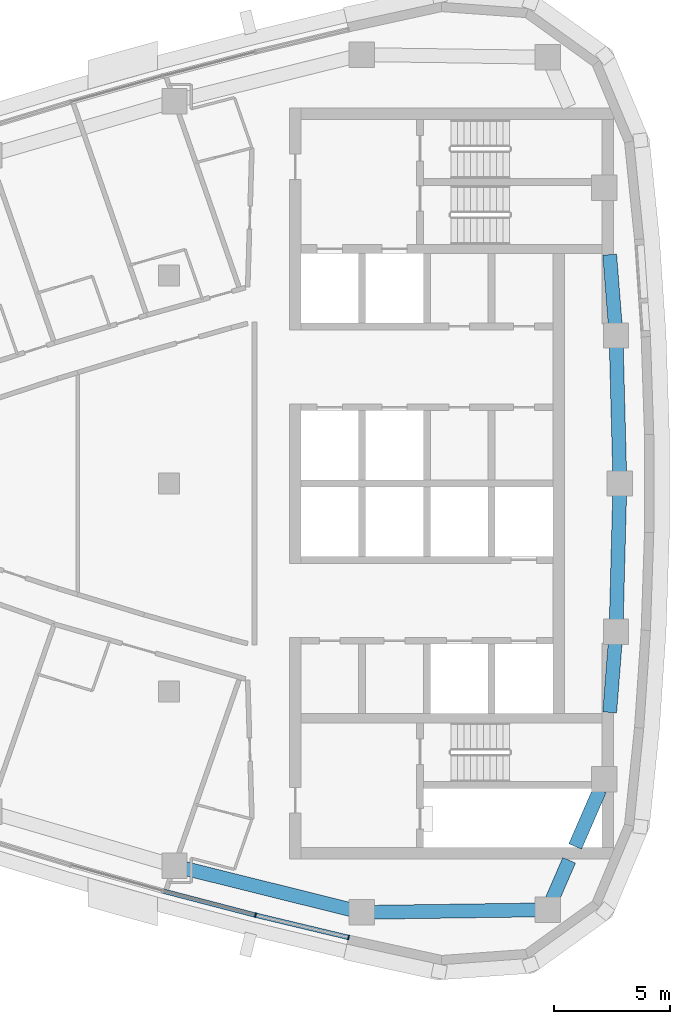
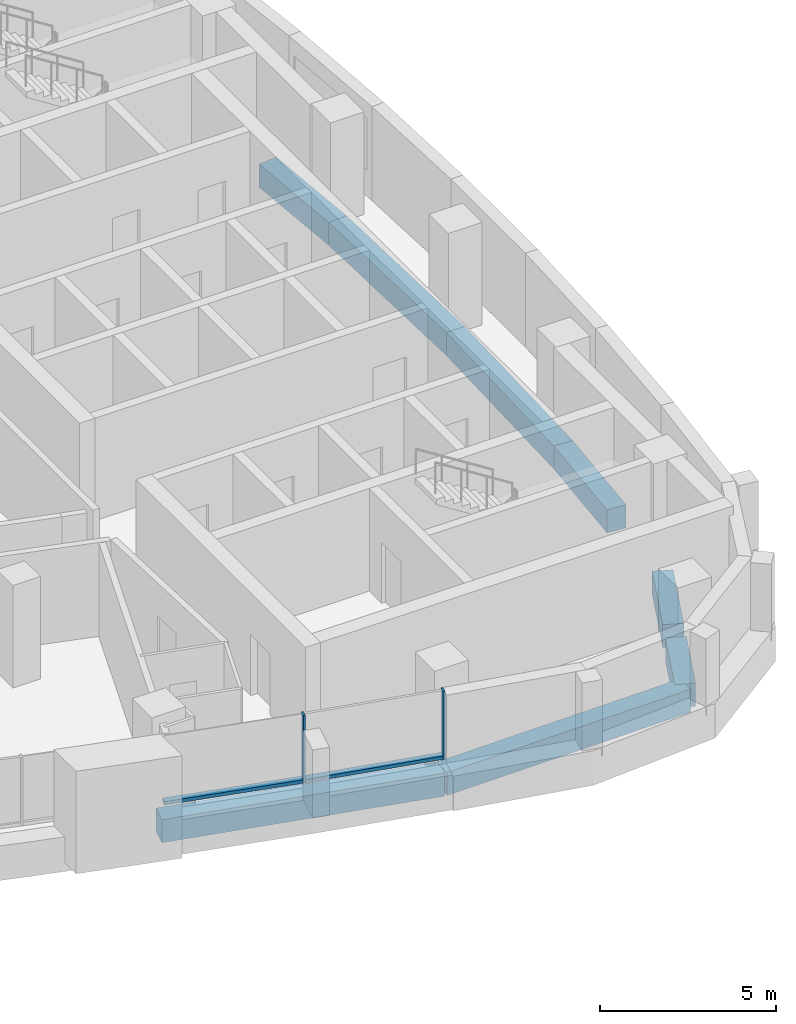
# One storey, part 4 of 14: 8 beams, 4 members, 1 element without a shape of its own.
"""IFC4 building model written with IfcOpenShell, lengths in metres."""

from ifc_helpers import new_model, si_unit, direction, frame, origin, origin_2d, place, context, subcontext, project, spatial, rectangle, extrude, material, layer, layer_set, material_profile, profile_set, type_object, element, aggregate, save


model = new_model("IFC4")

# Units and contexts
model_context = context("Model", 3, precision=1e-05, world=origin(), true_north=direction((0.0, 1.0)))
body_context = subcontext(model_context, "Body", "Model", "MODEL_VIEW")
ifc_project = project(units=[si_unit("LENGTHUNIT", "METRE"), si_unit("AREAUNIT", "SQUARE_METRE"), si_unit("VOLUMEUNIT", "CUBIC_METRE"), si_unit("PLANEANGLEUNIT", "RADIAN"), si_unit("MASSUNIT", "GRAM", prefix="KILO")], contexts=[model_context])

# Site, building, storey
site_placement = place(None, origin())
site = spatial("IfcSite", under=ifc_project, at=site_placement, CompositionType="ELEMENT")
building_placement = place(site_placement, origin())
building = spatial("IfcBuilding", under=site, at=building_placement, Name="Ostrand Prow Hotel Tower", CompositionType="ELEMENT")
storey_placement = place(building_placement, frame((0.0, 0.0, 289.199951171875)))
storey = spatial("IfcBuildingStorey", under=building, at=storey_placement, Name="L73", CompositionType="ELEMENT", Elevation=289.199951171875)

# Beams
ifc_material_1 = material(Name="Concrete C50/60", Category="concrete")
ifc_material_profile_1 = material_profile(ifc_material_1, rectangle(XDim=0.60009765625, YDim=0.800048828125, at=origin_2d()), Name="RC 600x800")
ifc_profile_set_1 = profile_set([ifc_material_profile_1], Name="Concrete C50/60")
beam_type = type_object("IfcBeamType", Name="Edge beam 600x800 C50/60", PredefinedType="SPANDREL", material=ifc_profile_set_1)
beam_1_placement = place(storey_placement, frame((45.234619140625, -16.53857421875, -0.699951171875), z_axis=(0.970456465292, -0.241276291775, 0.0), x_axis=(0.241276291775, 0.970456465292, 0.0)))
element("IfcBeam", 1, at=beam_1_placement, inside=storey, type_object=beam_type, Name="Edge beam S5-S6", PredefinedType="SPANDREL", context=body_context, shape_type="SweptSolid", body=[
    extrude(rectangle(XDim=0.60009765625, YDim=0.800048828125, at=origin_2d()), origin(), (0.0, 0.0, 1.0), 8.348876953125),
])
beam_2_placement = place(storey_placement, frame((53.3369140625, -18.552978515625, -0.699951171875), z_axis=(0.999900689486, 0.014092947356, 0.0), x_axis=(-0.014092947356, 0.999900689486, 0.0)))
element("IfcBeam", 2, at=beam_2_placement, inside=storey, type_object=beam_type, Name="Edge beam S6-SE", PredefinedType="SPANDREL", context=body_context, shape_type="SweptSolid", body=[
    extrude(rectangle(XDim=0.60009765625, YDim=0.800048828125, at=origin_2d()), origin(), (0.0, 0.0, 1.0), 8.0380859375),
])
beam_3_placement = place(storey_placement, frame((61.374267578125, -18.439697265625, -0.699951171875), z_axis=(0.398863844187, 0.91701016014, 0.0), x_axis=(-0.91701016014, 0.398863844187, 0.0)))
element("IfcBeam", 3, at=beam_3_placement, inside=storey, type_object=beam_type, Name="Edge beam SE-B1", PredefinedType="SPANDREL", context=body_context, shape_type="SweptSolid", body=[
    extrude(rectangle(XDim=0.60009765625, YDim=0.800048828125, at=origin_2d()), origin(), (0.0, 0.0, 1.0), 2.333251953125),
])
beam_4_placement = place(storey_placement, frame((62.56591796875, -15.699951171875, -0.699951171875), z_axis=(0.398799624102, 0.917038090712, 0.0), x_axis=(-0.917038090712, 0.398799624102, 0.0)))
element("IfcBeam", 4, at=beam_4_placement, inside=storey, type_object=beam_type, Name="Edge beam SE-B1", PredefinedType="SPANDREL", context=body_context, shape_type="SweptSolid", body=[
    extrude(rectangle(XDim=0.60009765625, YDim=0.800048828125, at=origin_2d()), origin(), (0.0, 0.0, 1.0), 2.671630859375),
])
beam_5_placement = place(storey_placement, frame((64.058349609375, -9.89990234375, -0.699951171875), z_axis=(0.078240080308, 0.996934546414, 0.0), x_axis=(-0.996934546414, 0.078240080308, 0.0)))
element("IfcBeam", 5, at=beam_5_placement, inside=storey, type_object=beam_type, Name="Edge beam B1-B2", PredefinedType="SPANDREL", context=body_context, shape_type="SweptSolid", body=[
    extrude(rectangle(XDim=0.60009765625, YDim=0.800048828125, at=origin_2d()), origin(), (0.0, 0.0, 1.0), 3.50732421875),
])
for number, where, z_axis, x_axis, name in (
    (6, (64.332763671875, -6.4033203125, -0.699951171875), (0.026108223987, 0.999659122221, 0.0), (-0.999659122221, 0.026108223987, 0.0), "Edge beam B2-B3"),
    (7, (64.5, 0.0, -0.699951171875), (-0.026108223987, 0.999659122221, 0.0), (-0.999659122221, -0.026108223987, 0.0), "Edge beam B3-B4"),
):
    element("IfcBeam", number, at=place(storey_placement, frame(where, z_axis=z_axis, x_axis=x_axis)), inside=storey, type_object=beam_type, Name=name, PredefinedType="SPANDREL", context=body_context, shape_type="SweptSolid", body=[
        extrude(rectangle(XDim=0.60009765625, YDim=0.800048828125, at=origin_2d()), origin(), (0.0, 0.0, 1.0), 6.405517578125),
    ])
beam_6_placement = place(storey_placement, frame((64.332763671875, 6.4033203125, -0.699951171875), z_axis=(-0.078240080308, 0.996934546414, 0.0), x_axis=(-0.996934546414, -0.078240080308, 0.0)))
element("IfcBeam", 8, at=beam_6_placement, inside=storey, type_object=beam_type, Name="Edge beam B4-B5", PredefinedType="SPANDREL", context=body_context, shape_type="SweptSolid", body=[
    extrude(rectangle(XDim=0.60009765625, YDim=0.800048828125, at=origin_2d()), origin(), (0.0, 0.0, 1.0), 3.50732421875),
])

# Curtain wall, members
ifc_material_2 = material(Name="Insulated glass in bronze anodised frame", Category="glass")
ifc_layer = layer(ifc_material_2, 0.199951171875)
ifc_layer_set = layer_set([ifc_layer], Name="Insulated glass in bronze anodised frame")
curtain_wall_type = type_object("IfcCurtainWallType", Name="Strip curtain wall, fritted glass over bronze spandrel", PredefinedType="NOTDEFINED", material=ifc_layer_set)
curtain_wall_placement = place(storey_placement, origin())
curtain_wall = element("IfcCurtainWall", 9, at=curtain_wall_placement, inside=storey, type_object=curtain_wall_type, Name="CW1 run CWS5", PredefinedType="NOTDEFINED")
ifc_material_3 = material(Name="Bronze anodised aluminium", Category="aluminium")
ifc_material_profile_2 = material_profile(ifc_material_3, rectangle(XDim=0.199951171875, YDim=0.06005859375, at=origin_2d()), Name="Mullion 60x200 bronze anodised aluminium")
ifc_profile_set_2 = profile_set([ifc_material_profile_2], Name="Bronze anodised aluminium")
member_type_1 = type_object("IfcMemberType", Name="Mullion 60x200 bronze anodised aluminium", PredefinedType="MULLION", material=ifc_profile_set_2)
member_1_placement = place(storey_placement, frame((48.734619140625, -18.6708984375, 0.900146484375), z_axis=(0.0, 0.0, 1.0), x_axis=(0.232746096028, 0.972537533869, 0.0)))
member_1 = element("IfcMember", 10, at=member_1_placement, type_object=member_type_1, Name="CW1 mullion 2", PredefinedType="MULLION", context=body_context, shape_type="SweptSolid", body=[
    extrude(rectangle(XDim=0.199951171875, YDim=0.06005859375, at=origin_2d()), origin(), (0.0, 0.0, 1.0), 2.349853515625),
])
member_2_placement = place(storey_placement, frame((52.7607421875, -19.634521484375, 0.900146484375), z_axis=(0.0, 0.0, 1.0), x_axis=(0.232746096028, 0.972537533869, 0.0)))
member_2 = element("IfcMember", 11, at=member_2_placement, type_object=member_type_1, Name="CW1 mullion 3", PredefinedType="MULLION", context=body_context, shape_type="SweptSolid", body=[
    extrude(rectangle(XDim=0.199951171875, YDim=0.06005859375, at=origin_2d()), origin(), (0.0, 0.0, 1.0), 2.349853515625),
])
ifc_material_4 = material(Name="Bronze anodised aluminium", Category="aluminium")
ifc_material_profile_3 = material_profile(ifc_material_4, rectangle(XDim=0.199951171875, YDim=0.1201171875, at=origin_2d()), Name="Transom 120x200 bronze anodised aluminium")
ifc_profile_set_3 = profile_set([ifc_material_profile_3], Name="Bronze anodised aluminium")
member_type_2 = type_object("IfcMemberType", Name="Transom 120x200 bronze anodised aluminium", PredefinedType="USERDEFINED", material=ifc_profile_set_3)
member_3_placement = place(storey_placement, frame((44.7578125, -17.63427734375, 0.9599609375), z_axis=(0.967664917891, -0.252239185461, 0.0), x_axis=(0.252239185461, 0.967664917891, 0.0)))
member_3 = element("IfcMember", 12, at=member_3_placement, type_object=member_type_2, Name="CW1 transom 1.1", ObjectType="TRANSOM", PredefinedType="USERDEFINED", context=body_context, shape_type="SweptSolid", body=[
    extrude(rectangle(XDim=0.199951171875, YDim=0.1201171875, at=origin_2d()), origin(), (0.0, 0.0, 1.0), 4.07958984375),
])
member_4_placement = place(storey_placement, frame((48.763671875, -18.677978515625, 0.9599609375), z_axis=(0.972542980558, -0.232723335675, 0.0), x_axis=(0.232723335675, 0.972542980558, 0.0)))
member_4 = element("IfcMember", 13, at=member_4_placement, type_object=member_type_2, Name="CW1 transom 2.1", ObjectType="TRANSOM", PredefinedType="USERDEFINED", context=body_context, shape_type="SweptSolid", body=[
    extrude(rectangle(XDim=0.199951171875, YDim=0.1201171875, at=origin_2d()), origin(), (0.0, 0.0, 1.0), 4.079833984375),
])
aggregate(curtain_wall, [member_1, member_2, member_3, member_4])

save(model, "model.ifc")
